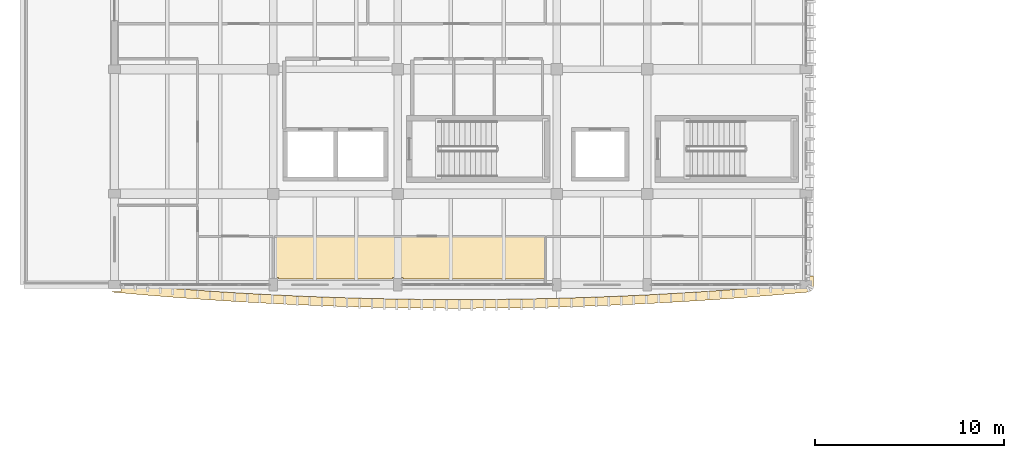
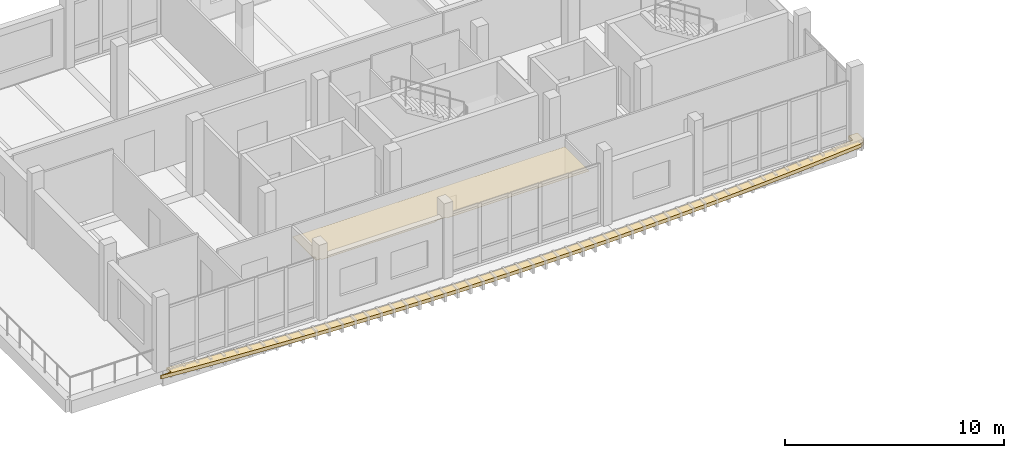
# One storey, part 13 of 20: 2 coverings.
"""IFC4 building model written with IfcOpenShell, lengths in metres."""

from ifc_helpers import new_model, si_unit, direction, frame, origin, place, context, subcontext, project, spatial, polyline, outline, extrude, material, layer, layer_set, type_object, element, save


model = new_model("IFC4")

# Units and contexts
model_context = context("Model", 3, precision=1e-05, world=origin(), true_north=direction((0.0, 1.0)))
body_context = subcontext(model_context, "Body", "Model", "MODEL_VIEW")
ifc_project = project(units=[si_unit("LENGTHUNIT", "METRE"), si_unit("AREAUNIT", "SQUARE_METRE"), si_unit("VOLUMEUNIT", "CUBIC_METRE"), si_unit("PLANEANGLEUNIT", "RADIAN"), si_unit("MASSUNIT", "GRAM", prefix="KILO")], contexts=[model_context])

# Site, building, storey
site_placement = place(None, origin())
site = spatial("IfcSite", under=ifc_project, at=site_placement, CompositionType="ELEMENT")
building_placement = place(site_placement, origin())
building = spatial("IfcBuilding", under=site, at=building_placement, Name="Dornvale Research Institute", CompositionType="ELEMENT")
storey_placement = place(building_placement, frame((0.0, 0.0, 34.199951171875)))
storey = spatial("IfcBuildingStorey", under=building, at=storey_placement, Name="L07", CompositionType="ELEMENT", Elevation=34.199951171875)

# Coverings
ifc_material_1 = material(Name="Mineral-Fibre Acoustic Lay-In Ceiling Tile System")
ifc_layer_1 = layer(ifc_material_1, 0.02001953125)
ifc_layer_set_1 = layer_set([ifc_layer_1], Name="Mineral-Fibre Acoustic Lay-In Ceiling Tile System")
covering_type_1 = type_object("IfcCoveringType", Name="Covering_Acoustic_Ceiling", PredefinedType="CEILING", material=ifc_layer_set_1)
covering_1_placement = place(storey_placement, frame((0.0, 0.0, 2.85009765625)))
element("IfcCovering", 1, at=covering_1_placement, inside=storey, type_object=covering_type_1, Name="L07 Principal Investigator Office L07 suspended ceiling", PredefinedType="CEILING", context=body_context, shape_type="SweptSolid", body=[
    extrude(outline(polyline([(13.219970703125, 101.530029296875), (27.580078125, 101.530029296875), (27.580078125, 99.300048828125), (20.074951171875, 99.300048828125), (20.074951171875, 99.375), (19.52490234375, 99.375), (19.52490234375, 99.300048828125), (13.47509765625, 99.300048828125), (13.47509765625, 99.375), (13.219970703125, 99.375), (13.219970703125, 101.530029296875)])), origin(), (0.0, 0.0, 1.0), 0.02001953125),
])
ifc_material_2 = material(Name="Polychrome Glazed Terracotta Visor Rib Ceramic", Category="masonry")
ifc_layer_2 = layer(ifc_material_2, 0.199951171875)
ifc_layer_set_2 = layer_set([ifc_layer_2], Name="Polychrome Glazed Terracotta Visor Rib Ceramic")
covering_type_2 = type_object("IfcCoveringType", Name="Covering_VisorBrim_Shelf", PredefinedType="CLADDING", material=ifc_layer_set_2)
covering_2_placement = place(storey_placement, frame((0.0, 0.0, -0.280029296875)))
element("IfcCovering", 2, at=covering_2_placement, inside=storey, type_object=covering_type_2, Name="L07 V5 canted bowed-brim visor hood #29", PredefinedType="CLADDING", context=body_context, shape_type="SweptSolid", body=[
    extrude(outline(polyline([(41.80322265625, 99.0), (41.77587890625, 98.85400390625), (41.697509765625, 98.727783203125), (41.57861328125, 98.638427734375), (41.435546875, 98.598388671875), (39.77197265625, 98.450927734375), (39.768798828125, 98.45068359375), (38.10498046875, 98.317138671875), (38.1015625, 98.31689453125), (36.43798828125, 98.197509765625), (36.4345703125, 98.197265625), (34.77099609375, 98.091796875), (34.767578125, 98.091552734375), (33.10400390625, 98.000244140625), (33.1005859375, 98.0), (31.43701171875, 97.9228515625), (31.43359375, 97.922607421875), (29.769775390625, 97.859619140625), (29.766357421875, 97.859375), (28.102783203125, 97.810302734375), (28.099365234375, 97.81005859375), (26.435791015625, 97.77490234375), (26.432373046875, 97.77490234375), (24.768798828125, 97.75390625), (24.765380859375, 97.75390625), (23.101806640625, 97.746826171875), (23.098388671875, 97.746826171875), (21.434814453125, 97.75390625), (21.431396484375, 97.75390625), (19.767578125, 97.77490234375), (19.76416015625, 97.77490234375), (18.1005859375, 97.81005859375), (18.09716796875, 97.810302734375), (16.43359375, 97.859375), (16.43017578125, 97.859619140625), (14.7666015625, 97.922607421875), (14.76318359375, 97.9228515625), (13.099609375, 98.0), (13.09619140625, 98.000244140625), (11.432373046875, 98.091552734375), (11.428955078125, 98.091796875), (9.765380859375, 98.197265625), (9.761962890625, 98.197509765625), (8.098388671875, 98.31689453125), (8.094970703125, 98.317138671875), (6.431396484375, 98.45068359375), (6.427978515625, 98.450927734375), (4.764404296875, 98.598388671875), (4.621337890625, 98.638427734375), (4.606201171875, 98.64990234375), (5.14990234375, 98.64990234375), (5.14990234375, 99.029296875), (6.468505859375, 98.912353515625), (8.1318359375, 98.77880859375), (9.794921875, 98.659423828125), (11.4580078125, 98.55419921875), (13.12109375, 98.462890625), (14.7841796875, 98.385498046875), (16.447509765625, 98.322509765625), (18.110595703125, 98.273193359375), (19.773681640625, 98.238037109375), (21.43701171875, 98.217041015625), (23.10009765625, 98.2099609375), (24.76318359375, 98.217041015625), (26.42626953125, 98.238037109375), (28.08935546875, 98.273193359375), (29.75244140625, 98.322509765625), (31.415771484375, 98.385498046875), (33.078857421875, 98.462890625), (34.741943359375, 98.55419921875), (36.405029296875, 98.659423828125), (38.068115234375, 98.77880859375), (39.7314453125, 98.912353515625), (41.340087890625, 99.054931640625), (41.340087890625, 99.449951171875), (41.80322265625, 99.449951171875), (41.80322265625, 99.0)])), origin(), (0.0, 0.0, 1.0), 0.2001953125),
])

save(model, "model.ifc")
